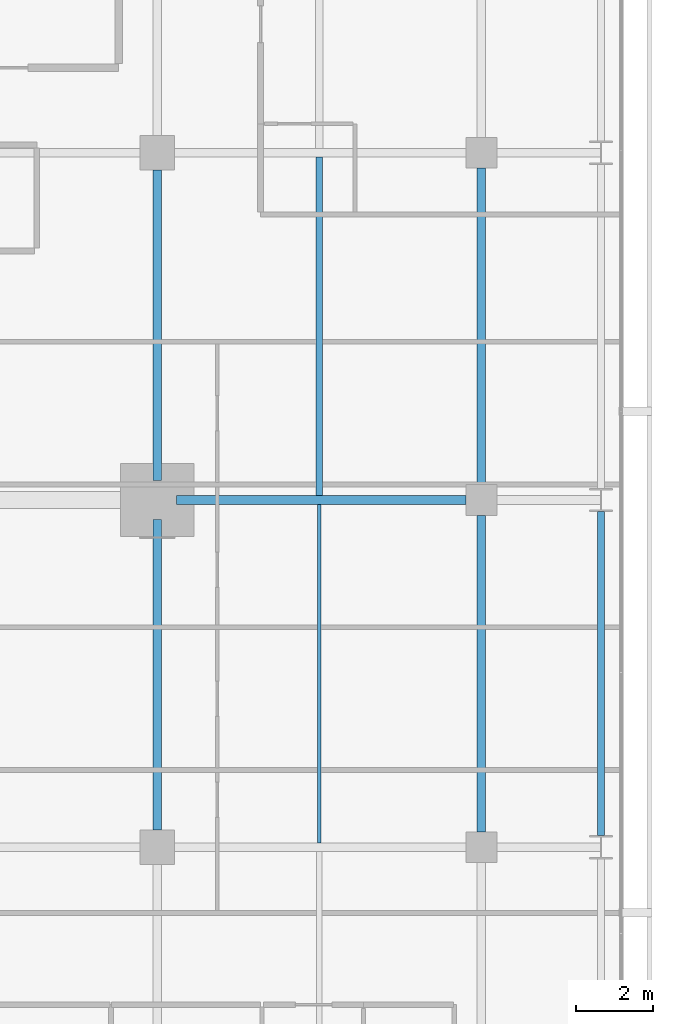
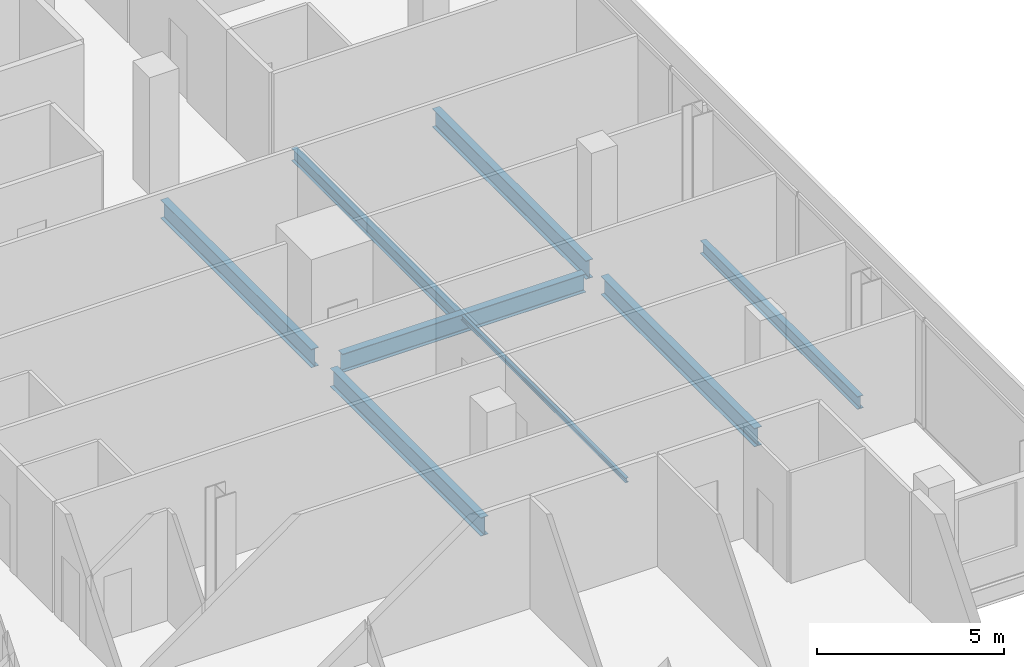
# One storey, part 16 of 34: 8 beams.
"""IFC4 building model written with IfcOpenShell, lengths in metres."""

from ifc_helpers import new_model, si_unit, direction, frame, origin, origin_2d, place, context, subcontext, project, spatial, i_section, extrude, material, material_profile, profile_set, type_object, element, save


model = new_model("IFC4")

# Units and contexts
model_context = context("Model", 3, precision=1e-05, world=origin(), true_north=direction((0.0, 1.0)))
body_context = subcontext(model_context, "Body", "Model", "MODEL_VIEW")
ifc_project = project(units=[si_unit("LENGTHUNIT", "METRE"), si_unit("AREAUNIT", "SQUARE_METRE"), si_unit("VOLUMEUNIT", "CUBIC_METRE"), si_unit("PLANEANGLEUNIT", "RADIAN"), si_unit("MASSUNIT", "GRAM", prefix="KILO")], contexts=[model_context])

# Site, building, storey
site_placement = place(None, origin())
site = spatial("IfcSite", under=ifc_project, at=site_placement, CompositionType="ELEMENT")
building_placement = place(site_placement, origin())
building = spatial("IfcBuilding", under=site, at=building_placement, Name="Maruvema Waterfront Hotel and Observation Tower", CompositionType="ELEMENT")
storey_placement = place(building_placement, frame((0.0, 0.0, 192.85009765625)))
storey = spatial("IfcBuildingStorey", under=building, at=storey_placement, Name="L47", CompositionType="ELEMENT", Elevation=192.85009765625)

# Beams
ifc_material_1 = material(Name="Steel ASTM A572 Grade 50", Category="steel")
ifc_material_profile_1 = material_profile(ifc_material_1, i_section(OverallWidth=0.180908203125, OverallDepth=0.4169921875, WebThickness=0.010986328125, FlangeThickness=0.018310546875, FilletRadius=0.014892578125, at=origin_2d()), Name="W410x85.0")
ifc_profile_set_1 = profile_set([ifc_material_profile_1], Name="Steel ASTM A572 Grade 50")
beam_type_1 = type_object("IfcBeamType", Name="Perimeter Spandrel Beam W410x85.0", PredefinedType="SPANDREL", material=ifc_profile_set_1)
beam_1_placement = place(storey_placement, frame((61.89990234375, 18.300048828125, -0.448486328125), z_axis=(0.0, 1.0, 0.0), x_axis=(-1.0, 0.0, 0.0)))
element("IfcBeam", 1, at=beam_1_placement, inside=storey, type_object=beam_type_1, Name="L47 Floor Girder NS-30", PredefinedType="SPANDREL", context=body_context, shape_type="SweptSolid", body=[
    extrude(i_section(OverallWidth=0.180908203125, OverallDepth=0.4169921875, WebThickness=0.010986328125, FlangeThickness=0.018310546875, FilletRadius=0.014892578125, at=origin_2d()), origin(), (0.0, 0.0, 1.0), 8.39990234375),
])
ifc_material_2 = material(Name="Steel ASTM A572 Grade 50", Category="steel")
ifc_material_profile_2 = material_profile(ifc_material_2, i_section(OverallWidth=0.22802734375, OverallDepth=0.60302734375, WebThickness=0.010498046875, FlangeThickness=0.014892578125, FilletRadius=0.01806640625, at=origin_2d()), Name="W610x101.0")
ifc_profile_set_2 = profile_set([ifc_material_profile_2], Name="Steel ASTM A572 Grade 50")
beam_type_2 = type_object("IfcBeamType", Name="Primary Floor Girder W610x101.0", PredefinedType="BEAM", material=ifc_profile_set_2)
beam_2_placement = place(storey_placement, frame((50.89990234375, 27.0, -0.54150390625), z_axis=(1.0, 0.0, 0.0), x_axis=(0.0, 1.0, 0.0)))
element("IfcBeam", 2, at=beam_2_placement, inside=storey, type_object=beam_type_2, Name="L47 Floor Girder EW-21", PredefinedType="BEAM", context=body_context, shape_type="SweptSolid", body=[
    extrude(i_section(OverallWidth=0.22802734375, OverallDepth=0.60302734375, WebThickness=0.010498046875, FlangeThickness=0.014892578125, FilletRadius=0.01806640625, at=origin_2d()), origin(), (0.0, 0.0, 1.0), 7.5),
])
for number, where, z_axis, x_axis, name in (
    (3, (50.39990234375, 18.449951171875, -0.54150390625), (0.0, 1.0, 0.0), (-1.0, 0.0, 0.0), "L47 Floor Girder NS-22"),
    (4, (50.39990234375, 27.5, -0.54150390625), (0.0, 1.0, 0.0), (-1.0, 0.0, 0.0), "L47 Floor Girder NS-23"),
):
    element("IfcBeam", number, at=place(storey_placement, frame(where, z_axis=z_axis, x_axis=x_axis)), inside=storey, type_object=beam_type_2, Name=name, PredefinedType="BEAM", context=body_context, shape_type="SweptSolid", body=[
        extrude(i_section(OverallWidth=0.22802734375, OverallDepth=0.60302734375, WebThickness=0.010498046875, FlangeThickness=0.014892578125, FilletRadius=0.01806640625, at=origin_2d()), origin(), (0.0, 0.0, 1.0), 8.050048828125),
    ])
for number, where, z_axis, x_axis, name in (
    (5, (58.800048828125, 18.39990234375, -0.54150390625), (0.0, 1.0, 0.0), (-1.0, 0.0, 0.0), "L47 Floor Girder NS-26"),
    (6, (58.800048828125, 27.39990234375, -0.54150390625), (0.0, 1.0, 0.0), (-1.0, 0.0, 0.0), "L47 Floor Girder NS-27"),
):
    element("IfcBeam", number, at=place(storey_placement, frame(where, z_axis=z_axis, x_axis=x_axis)), inside=storey, type_object=beam_type_2, Name=name, PredefinedType="BEAM", context=body_context, shape_type="SweptSolid", body=[
        extrude(i_section(OverallWidth=0.22802734375, OverallDepth=0.60302734375, WebThickness=0.010498046875, FlangeThickness=0.014892578125, FilletRadius=0.01806640625, at=origin_2d()), origin(), (0.0, 0.0, 1.0), 8.2001953125),
    ])
ifc_material_3 = material(Name="Steel ASTM A572 Grade 50", Category="steel")
ifc_material_profile_3 = material_profile(ifc_material_3, i_section(OverallWidth=0.10009765625, OverallDepth=0.153076171875, WebThickness=0.005859375, FlangeThickness=0.007080078125, FilletRadius=0.008056640625, at=origin_2d()), Name="W150x18.0")
ifc_profile_set_3 = profile_set([ifc_material_profile_3], Name="Steel ASTM A572 Grade 50")
beam_type_3 = type_object("IfcBeamType", Name="Secondary Floor Joist W150x18.0", PredefinedType="JOIST", material=ifc_profile_set_3)
beam_3_placement = place(storey_placement, frame((54.60009765625, 18.114013671875, -0.316650390625), z_axis=(0.0, 1.0, 0.0), x_axis=(-1.0, 0.0, 0.0)))
element("IfcBeam", 7, at=beam_3_placement, inside=storey, type_object=beam_type_3, Name="L47 Secondary Floor Joist JS-12", PredefinedType="JOIST", context=body_context, shape_type="SweptSolid", body=[
    extrude(i_section(OverallWidth=0.10009765625, OverallDepth=0.153076171875, WebThickness=0.005859375, FlangeThickness=0.007080078125, FilletRadius=0.008056640625, at=origin_2d()), origin(), (0.0, 0.0, 1.0), 8.77197265625),
])
ifc_material_4 = material(Name="Steel ASTM A572 Grade 50", Category="steel")
ifc_material_profile_4 = material_profile(ifc_material_4, i_section(OverallWidth=0.177001953125, OverallDepth=0.403076171875, WebThickness=0.007568359375, FlangeThickness=0.010986328125, FilletRadius=0.014892578125, at=origin_2d()), Name="W410x53.0")
ifc_profile_set_4 = profile_set([ifc_material_profile_4], Name="Steel ASTM A572 Grade 50")
beam_type_4 = type_object("IfcBeamType", Name="Secondary Floor Joist W410x53.0", PredefinedType="JOIST", material=ifc_profile_set_4)
beam_4_placement = place(storey_placement, frame((54.60009765625, 27.114013671875, -0.441650390625), z_axis=(0.0, 1.0, 0.0), x_axis=(-1.0, 0.0, 0.0)))
element("IfcBeam", 8, at=beam_4_placement, inside=storey, type_object=beam_type_4, Name="L47 Secondary Floor Joist JS-13", PredefinedType="JOIST", context=body_context, shape_type="SweptSolid", body=[
    extrude(i_section(OverallWidth=0.177001953125, OverallDepth=0.403076171875, WebThickness=0.007568359375, FlangeThickness=0.010986328125, FilletRadius=0.014892578125, at=origin_2d()), origin(), (0.0, 0.0, 1.0), 8.77197265625),
])

save(model, "model.ifc")
